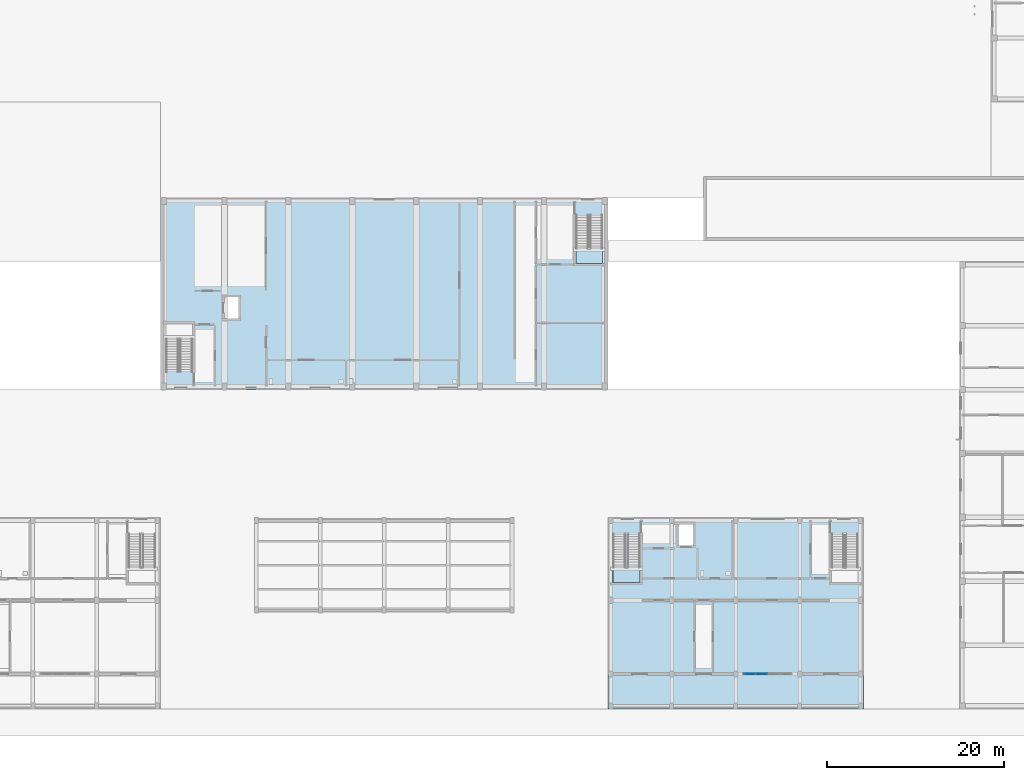
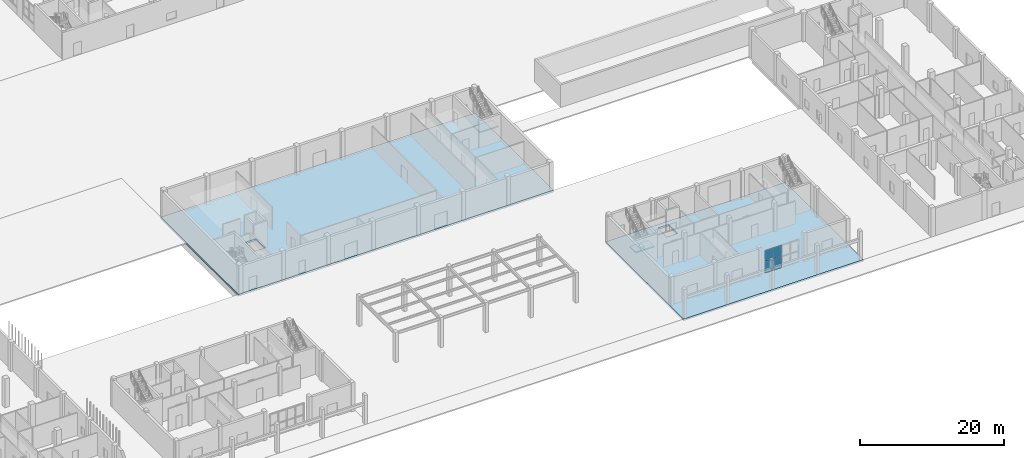
# One storey, part 31 of 85: 4 plates, 4 slabs, 3 elements without a shape of their own.
"""IFC4 building model written with IfcOpenShell, lengths in metres."""

import ifcopenshell
import ifcopenshell.guid

model = None  # the IFC model being written
_history = None  # IfcOwnerHistory: only IFC2X3 demands one
_inside = {}  # id of a spatial element -> (the spatial element, [elements in it])
_under = {}  # id of a project, library or spatial element -> (it, [spatial elements below it])
_declared = {}  # id of a project -> (the project, [libraries it declares])
_typed = {}  # id of a type object -> (the type object, [elements of that type])
_made_of = {}  # id of a material, layer set ... -> (it, [elements and type objects made of it])


def new_model(schema):
    """Start an empty IFC model of exactly this schema.

    Asked for "IFC4X3", IfcOpenShell would pick the latest addendum, in which some entities
    have other attributes; the version numbers below select the first issue.
    IFC2X3 requires an IfcOwnerHistory on every rooted entity: one is made here for all.
    """
    global model, _history
    if schema == "IFC4X3":
        model = ifcopenshell.file(schema_version=(4, 3, 0, 0))
    else:
        model = ifcopenshell.file(schema=schema)
    _inside.clear()
    _under.clear()
    _declared.clear()
    _typed.clear()
    _made_of.clear()
    _history = None
    if model.schema == "IFC2X3":
        org = make("IfcOrganization", Name="unknown")
        user = make(
            "IfcPersonAndOrganization",
            ThePerson=make("IfcPerson", FamilyName="unknown"),
            TheOrganization=org,
        )
        app = make(
            "IfcApplication",
            ApplicationDeveloper=org,
            Version="unknown",
            ApplicationFullName="unknown",
            ApplicationIdentifier="unknown",
        )
        _history = make(
            "IfcOwnerHistory",
            OwningUser=user,
            OwningApplication=app,
            ChangeAction="ADDED",
            CreationDate=0,
        )
    return model


def make(cls, **values):
    """One entity of the class cls with the attributes given. An attribute that is None is left unset."""
    return model.create_entity(
        cls, **{name: value for name, value in values.items() if value is not None}
    )


def rooted(cls, **values):
    """An entity with a GlobalId (a new one), such as an element, a storey or a relation."""
    return make(cls, GlobalId=ifcopenshell.guid.new(), OwnerHistory=_history, **values)


def si_unit(unit_type, name, prefix=None):
    """IfcSIUnit, for example si_unit("LENGTHUNIT", "METRE", prefix="MILLI")."""
    return make("IfcSIUnit", UnitType=unit_type, Prefix=prefix, Name=name)


def derived_unit(unit_type, elements):
    """IfcDerivedUnit: a product of units, each with its exponent."""
    return make(
        "IfcDerivedUnit",
        Elements=[
            make("IfcDerivedUnitElement", Unit=unit, Exponent=power)
            for unit, power in elements
        ],
        UnitType=unit_type,
    )


def assignment(units):
    """IfcUnitAssignment: the units of a project."""
    return None if units is None else make("IfcUnitAssignment", Units=units)


def point(xyz):
    """IfcCartesianPoint."""
    return None if xyz is None else make("IfcCartesianPoint", Coordinates=xyz)


def direction(xyz):
    """IfcDirection."""
    return None if xyz is None else make("IfcDirection", DirectionRatios=xyz)


def frame(location, z_axis=None, x_axis=None):
    """IfcAxis2Placement3D, a coordinate frame: its origin and axes. An axis left out is left unset."""
    return make(
        "IfcAxis2Placement3D",
        Location=point(location),
        Axis=direction(z_axis),
        RefDirection=direction(x_axis),
    )


def frame_2d(location, x_axis=None):
    """IfcAxis2Placement2D, a coordinate frame in the plane: its origin and x axis."""
    return make(
        "IfcAxis2Placement2D", Location=point(location), RefDirection=direction(x_axis)
    )


def origin():
    """The frame at (0, 0, 0) with its axes left unset."""
    return frame((0.0, 0.0, 0.0))


def origin_2d():
    """The frame at (0, 0) in the plane with its x axis left unset."""
    return frame_2d((0.0, 0.0))


def place(relative_to, where):
    """IfcLocalPlacement: puts the frame where relative to a parent placement (None: the world)."""
    return make(
        "IfcLocalPlacement", PlacementRelTo=relative_to, RelativePlacement=where
    )


def context(
    kind, dimensions, precision=None, world=None, true_north=None, identifier=None
):
    """IfcGeometricRepresentationContext, for example the 3D "Model" context."""
    return make(
        "IfcGeometricRepresentationContext",
        ContextIdentifier=identifier,
        ContextType=kind,
        CoordinateSpaceDimension=dimensions,
        Precision=precision,
        WorldCoordinateSystem=world,
        TrueNorth=true_north,
    )


def subcontext(parent, identifier, kind, view, scale=None):
    """IfcGeometricRepresentationSubContext, for example "Body" below "Model"."""
    return make(
        "IfcGeometricRepresentationSubContext",
        ContextIdentifier=identifier,
        ContextType=kind,
        ParentContext=parent,
        TargetScale=scale,
        TargetView=view,
    )


def project(units=None, contexts=None):
    """IfcProject with its units and contexts."""
    return rooted(
        "IfcProject",
        Name="project",
        RepresentationContexts=contexts,
        UnitsInContext=assignment(units),
    )


def spatial(cls, under=None, at=None, **own):
    """A site, building, storey or space (cls), placed at a placement, below another one or the project."""
    s = rooted(cls, ObjectPlacement=at, **own)
    if under is not None:
        _under.setdefault(under.id(), (under, []))[1].append(s)
    return s


def polyline(points):
    """IfcPolyline through the points."""
    return make("IfcPolyline", Points=[point(p) for p in points])


def profile(cls, at=None, kind="AREA", **sizes):
    """A parametric profile (cls). Its sizes go by their IFC names, for example OverallWidth=200.0."""
    return make(cls, ProfileType=kind, Position=at, **sizes)


def rectangle(**sizes):
    """IfcRectangleProfileDef."""
    return profile("IfcRectangleProfileDef", **sizes)


def outline(outer, holes=None, kind="AREA"):
    """IfcArbitraryClosedProfileDef: a profile drawn as a closed curve; with holes, ...WithVoids."""
    if holes is None:
        return make("IfcArbitraryClosedProfileDef", ProfileType=kind, OuterCurve=outer)
    return make(
        "IfcArbitraryProfileDefWithVoids",
        ProfileType=kind,
        OuterCurve=outer,
        InnerCurves=holes,
    )


def extrude(swept, where, along, depth):
    """IfcExtrudedAreaSolid: the profile swept, set in the frame where, extruded along a direction by depth."""
    return make(
        "IfcExtrudedAreaSolid",
        SweptArea=swept,
        Position=where,
        ExtrudedDirection=direction(along),
        Depth=depth,
    )


def shape(context_of_items, identifier, shape_type, items):
    """IfcShapeRepresentation: the items that make up one representation, for example the "Body"."""
    return make(
        "IfcShapeRepresentation",
        ContextOfItems=context_of_items,
        RepresentationIdentifier=identifier,
        RepresentationType=shape_type,
        Items=items,
    )


def material(Name=None, Category=None):
    """IfcMaterial."""
    return make("IfcMaterial", Name=Name, Category=Category)


def layer(
    of_material, thickness, ventilated=None, Name=None, Category=None, Priority=None
):
    """IfcMaterialLayer: one layer of a wall or slab, of a material (None: an air gap)."""
    return make(
        "IfcMaterialLayer",
        Material=of_material,
        LayerThickness=thickness,
        IsVentilated=ventilated,
        Name=Name,
        Category=Category,
        Priority=Priority,
    )


def layer_set(layers, Name=None):
    """IfcMaterialLayerSet."""
    return make("IfcMaterialLayerSet", MaterialLayers=layers, LayerSetName=Name)


def made_of(thing, what):
    """Note that an element or type object is made of a material, layer set ...; save() writes the relation."""
    if what is not None:
        _made_of.setdefault(what.id(), (what, []))[1].append(thing)
    return thing


def type_object(cls, material=None, **own):
    """A type object (cls), such as IfcWallType, which elements share."""
    return made_of(rooted(cls, **own), material)


def element(
    cls,
    number,
    at=None,
    inside=None,
    cuts=None,
    type_object=None,
    material=None,
    context=None,
    identifier="Body",
    shape_type=None,
    held_by="IfcProductDefinitionShape",
    body=None,
    shapes=None,
    **own,
):
    """One element of the class cls, such as IfcWall. Its Tag is "e" and its number.

    at: its placement. inside: the storey or other place that contains it. cuts: it is an
    opening in that element (IfcRelVoidsElement). A single representation is given by context,
    identifier, shape_type and body (its items); several are given by shapes. held_by: the class
    of the entity that holds the representations. save() writes the other relations.
    """
    e = rooted(cls, Tag="e%d" % number, ObjectPlacement=at, **own)
    if body is not None:
        shapes = [shape(context, identifier, shape_type, body)]
    if shapes is not None:
        e.Representation = make(held_by, Representations=shapes)
    if inside is not None:
        _inside.setdefault(inside.id(), (inside, []))[1].append(e)
    if cuts is not None:
        rooted(
            "IfcRelVoidsElement", RelatingBuildingElement=cuts, RelatedOpeningElement=e
        )
    if type_object is not None:
        _typed.setdefault(type_object.id(), (type_object, []))[1].append(e)
    return made_of(e, material)


def aggregate(whole, parts):
    """IfcRelAggregates: a whole, such as a stair, and the parts it consists of."""
    return rooted("IfcRelAggregates", RelatingObject=whole, RelatedObjects=parts)


def save(model, path):
    """Write the relations noted so far, then the file.

    IfcRelAggregates (storeys below a building ...), IfcRelContainedInSpatialStructure (elements
    in a storey), IfcRelDefinesByType, IfcRelAssociatesMaterial and IfcRelDeclares: one each for
    every whole, place, type object, material and project.
    """
    for whole, parts in _under.values():
        aggregate(whole, parts)
    for where, things in _inside.values():
        rooted(
            "IfcRelContainedInSpatialStructure",
            RelatedElements=things,
            RelatingStructure=where,
        )
    for kind, things in _typed.values():
        rooted("IfcRelDefinesByType", RelatedObjects=things, RelatingType=kind)
    for what, things in _made_of.values():
        rooted("IfcRelAssociatesMaterial", RelatedObjects=things, RelatingMaterial=what)
    for by, libraries in _declared.values():
        rooted("IfcRelDeclares", RelatingContext=by, RelatedDefinitions=libraries)
    model.write(path)


model = new_model("IFC4")

# Units and contexts
model_context = context("Model", 3, precision=1e-05, world=origin(), true_north=direction((0.0, 1.0)))
body_context = subcontext(model_context, "Body", "Model", "MODEL_VIEW")
ifc_project = project(units=[si_unit("LENGTHUNIT", "METRE"), si_unit("AREAUNIT", "SQUARE_METRE"), si_unit("VOLUMEUNIT", "CUBIC_METRE"), si_unit("PLANEANGLEUNIT", "RADIAN"), si_unit("MASSUNIT", "GRAM", prefix="KILO"), derived_unit("THERMALTRANSMITTANCEUNIT", [(si_unit("MASSUNIT", "GRAM", prefix="KILO"), 1), (si_unit("TIMEUNIT", "SECOND"), -3), (si_unit("THERMODYNAMICTEMPERATUREUNIT", "KELVIN"), -1)])], contexts=[model_context])

# Site, building, storey
site_placement = place(None, origin())
site = spatial("IfcSite", under=ifc_project, at=site_placement, CompositionType="ELEMENT")
building_placement = place(site_placement, origin())
building = spatial("IfcBuilding", under=site, at=building_placement, Name="Ochrekiln Boulevard Commons", CompositionType="ELEMENT")
storey_placement = place(building_placement, origin())
storey = spatial("IfcBuildingStorey", under=building, at=storey_placement, Name="L00", CompositionType="ELEMENT", Elevation=0.0)

# Curtain wall, plates
ifc_material_1 = material(Name="Bronze-anodized extruded aluminium 6063-T6", Category="aluminium")
ifc_layer_1 = layer(ifc_material_1, 0.2080078125)
ifc_layer_set_1 = layer_set([ifc_layer_1], Name="Bronze-anodized extruded aluminium 6063-T6")
curtain_wall_type = type_object("IfcCurtainWallType", Name="CW-SHOP", PredefinedType="USERDEFINED", material=ifc_layer_set_1)
curtain_wall_placement = place(storey_placement, origin())
curtain_wall = element("IfcCurtainWall", 1, at=curtain_wall_placement, inside=storey, type_object=curtain_wall_type, Name="East Boulevard Arcade Glazed Shopfront Curtain Wall 3", ObjectType="GLAZED CURTAIN WALL", PredefinedType="USERDEFINED")
ifc_material_2 = material(Name="Spectrally selective low-E insulated glazing", Category="glass")
ifc_layer_2 = layer(ifc_material_2, 0.035888671875)
ifc_layer_set_2 = layer_set([ifc_layer_2], Name="Spectrally selective low-E insulated glazing")
plate_type = type_object("IfcPlateType", Name="CWP-GLZ-3", PredefinedType="CURTAIN_PANEL", material=ifc_layer_set_2)
plate_1_placement = place(storey_placement, frame((123.953857421875, 3.949951171875, 0.06494140625), z_axis=(0.0, 0.0, 1.0), x_axis=(1.0, 0.0, 0.0)))
plate_1 = element("IfcPlate", 2, at=plate_1_placement, type_object=plate_type, Name="CW-04 panel 1.1", PredefinedType="CURTAIN_PANEL", context=body_context, shape_type="SweptSolid", body=[
    extrude(rectangle(XDim=1.277587890625, YDim=0.035888671875, at=origin_2d()), origin(), (0.0, 0.0, 1.0), 1.8525390625),
])
plate_2_placement = place(storey_placement, frame((123.953857421875, 3.949951171875, 1.982421875), z_axis=(0.0, 0.0, 1.0), x_axis=(1.0, 0.0, 0.0)))
plate_2 = element("IfcPlate", 3, at=plate_2_placement, type_object=plate_type, Name="CW-04 panel 1.2", PredefinedType="CURTAIN_PANEL", context=body_context, shape_type="SweptSolid", body=[
    extrude(rectangle(XDim=1.277587890625, YDim=0.035888671875, at=origin_2d()), origin(), (0.0, 0.0, 1.0), 1.8525390625),
])
plate_3_placement = place(storey_placement, frame((125.3125, 3.949951171875, 0.06494140625), z_axis=(0.0, 0.0, 1.0), x_axis=(1.0, 0.0, 0.0)))
plate_3 = element("IfcPlate", 4, at=plate_3_placement, type_object=plate_type, Name="CW-04 panel 2.1", PredefinedType="CURTAIN_PANEL", context=body_context, shape_type="SweptSolid", body=[
    extrude(rectangle(XDim=1.31005859375, YDim=0.035888671875, at=origin_2d()), origin(), (0.0, 0.0, 1.0), 1.8525390625),
])
plate_4_placement = place(storey_placement, frame((125.3125, 3.949951171875, 1.982421875), z_axis=(0.0, 0.0, 1.0), x_axis=(1.0, 0.0, 0.0)))
plate_4 = element("IfcPlate", 5, at=plate_4_placement, type_object=plate_type, Name="CW-04 panel 2.2", PredefinedType="CURTAIN_PANEL", context=body_context, shape_type="SweptSolid", body=[
    extrude(rectangle(XDim=1.31005859375, YDim=0.035888671875, at=origin_2d()), origin(), (0.0, 0.0, 1.0), 1.8525390625),
])
aggregate(curtain_wall, [plate_1, plate_2, plate_3, plate_4])

# Slabs
ifc_material_3 = material(Name="Concrete C35/45", Category="concrete")
ifc_layer_3 = layer(ifc_material_3, 0.2900390625)
ifc_layer_set_3 = layer_set([ifc_layer_3], Name="Concrete C35/45")
slab_type_1 = type_object("IfcSlabType", Name="SLB-ARC-290", PredefinedType="FLOOR", material=ifc_layer_set_3)
slab_1_placement = place(storey_placement, frame((0.0, 0.0, -0.2900390625)))
element("IfcSlab", 6, at=slab_1_placement, inside=storey, type_object=slab_type_1, Name="East Boulevard Arcade L00 Floor Slab", PredefinedType="FLOOR", context=body_context, shape_type="SweptSolid", body=[
    extrude(outline(polyline([(108.0, 0.0), (136.800048828125, 0.0), (136.800048828125, 21.60009765625), (108.0, 21.60009765625), (108.0, 0.0)]), holes=[polyline([(115.949951171875, 18.35009765625), (117.64990234375, 18.35009765625), (117.64990234375, 20.85009765625), (115.949951171875, 20.85009765625), (115.949951171875, 18.35009765625)])]), origin(), (0.0, 0.0, 1.0), 0.2900390625),
])
ifc_layer_4 = layer(ifc_material_3, 0.320068359375)
ifc_layer_set_4 = layer_set([ifc_layer_4], Name="Concrete C35/45")
slab_type_2 = type_object("IfcSlabType", Name="SLB-HALL-320", PredefinedType="FLOOR", material=ifc_layer_set_4)
slab_2_placement = place(storey_placement, frame((0.0, 0.0, -0.320068359375)))
element("IfcSlab", 7, at=slab_2_placement, inside=storey, type_object=slab_type_2, Name="Community Hall L00 Main Assembly Floor Slab", PredefinedType="FLOOR", context=body_context, shape_type="SweptSolid", body=[
    extrude(outline(polyline([(57.60009765625, 36.0), (108.0, 36.0), (108.0, 57.60009765625), (57.60009765625, 57.60009765625), (57.60009765625, 36.0)]), holes=[polyline([(64.75, 43.949951171875), (66.449951171875, 43.949951171875), (66.449951171875, 46.449951171875), (64.75, 46.449951171875), (64.75, 43.949951171875)])]), origin(), (0.0, 0.0, 1.0), 0.320068359375),
])

# Stair, slab
stair_type = type_object("IfcStairType", Name="STR-DL-490", PredefinedType="TWO_STRAIGHT_RUN_STAIR", material=ifc_material_3)
stair_1_placement = place(storey_placement, origin())
stair_1 = element("IfcStair", 8, at=stair_1_placement, inside=storey, type_object=stair_type, Name="L00 Enclosed Exit Stair ST-H2", PredefinedType="TWO_STRAIGHT_RUN_STAIR")
ifc_layer_5 = layer(ifc_material_3, 0.199951171875)
ifc_layer_set_5 = layer_set([ifc_layer_5], Name="Concrete C35/45")
slab_type_3 = type_object("IfcSlabType", Name="SLB-LND-200", PredefinedType="LANDING", material=ifc_layer_set_5)
slab_3_placement = place(storey_placement, frame((0.0, 0.0, 2.25)))
slab_3 = element("IfcSlab", 9, at=slab_3_placement, type_object=slab_type_3, Name="ST-H2 landing 1", PredefinedType="LANDING", context=body_context, shape_type="SweptSolid", body=[
    extrude(outline(polyline([(104.39990234375, 51.8798828125), (104.39990234375, 50.199951171875), (107.39990234375, 50.199951171875), (107.39990234375, 51.8798828125), (104.39990234375, 51.8798828125)])), origin(), (0.0, 0.0, 1.0), 0.199951171875),
])
aggregate(stair_1, [slab_3])

stair_2_placement = place(storey_placement, origin())
stair_2 = element("IfcStair", 10, at=stair_2_placement, inside=storey, type_object=stair_type, Name="L00 Enclosed Exit Stair ST-E1", PredefinedType="TWO_STRAIGHT_RUN_STAIR")
slab_4_placement = place(storey_placement, frame((0.0, 0.0, 2.25)))
slab_4 = element("IfcSlab", 11, at=slab_4_placement, type_object=slab_type_3, Name="ST-E1 landing 1", PredefinedType="LANDING", context=body_context, shape_type="SweptSolid", body=[
    extrude(outline(polyline([(108.60009765625, 15.9599609375), (108.60009765625, 14.280029296875), (111.60009765625, 14.280029296875), (111.60009765625, 15.9599609375), (108.60009765625, 15.9599609375)])), origin(), (0.0, 0.0, 1.0), 0.199951171875),
])
aggregate(stair_2, [slab_4])

save(model, "model.ifc")
